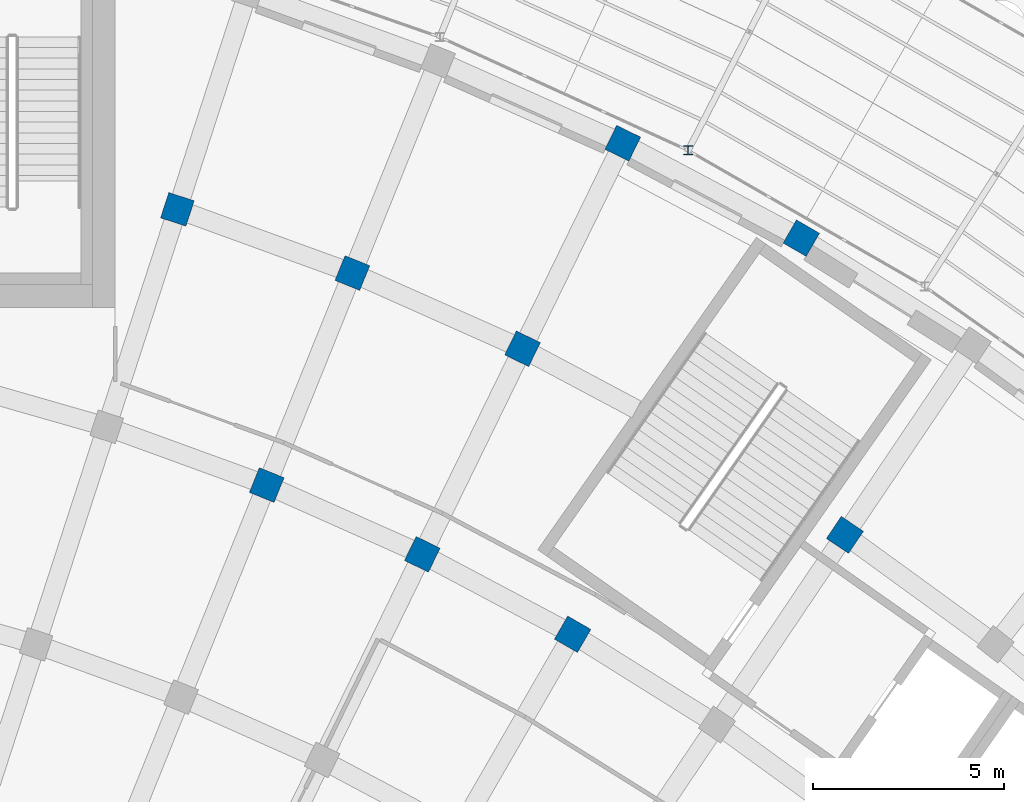
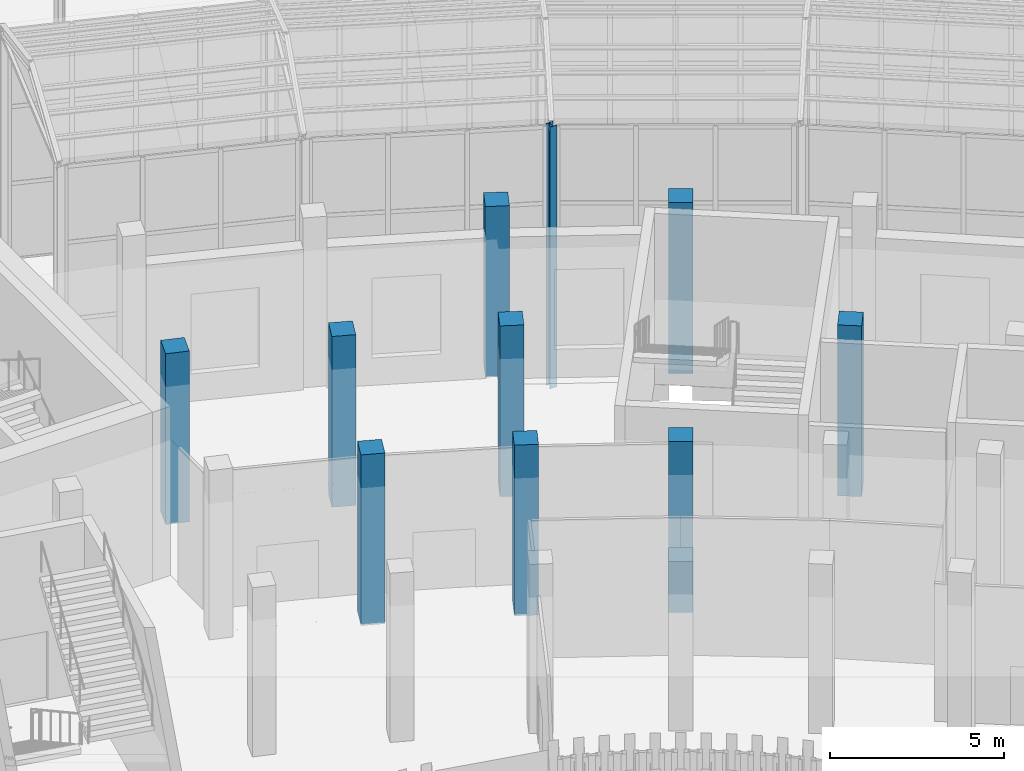
# One storey, part 6 of 155: 10 columns.
"""IFC4 building model written with IfcOpenShell, lengths in metres."""

from ifc_helpers import new_model, si_unit, direction, frame, origin, origin_2d, place, context, subcontext, project, spatial, rectangle, i_section, extrude, material, material_profile, profile_set, type_object, element, save


model = new_model("IFC4")

# Units and contexts
model_context = context("Model", 3, precision=1e-05, world=origin(), true_north=direction((0.0, 1.0)))
body_context = subcontext(model_context, "Body", "Model", "MODEL_VIEW")
ifc_project = project(units=[si_unit("LENGTHUNIT", "METRE"), si_unit("AREAUNIT", "SQUARE_METRE"), si_unit("VOLUMEUNIT", "CUBIC_METRE"), si_unit("PLANEANGLEUNIT", "RADIAN"), si_unit("MASSUNIT", "GRAM", prefix="KILO")], contexts=[model_context])

# Site, building, storey
site_placement = place(None, origin())
site = spatial("IfcSite", under=ifc_project, at=site_placement, CompositionType="ELEMENT")
building_placement = place(site_placement, origin())
building = spatial("IfcBuilding", under=site, at=building_placement, Name="Lunette Opera House", CompositionType="ELEMENT")
storey_placement = place(building_placement, origin())
storey = spatial("IfcBuildingStorey", under=building, at=storey_placement, Name="L00", CompositionType="ELEMENT", Elevation=0.0)

# Columns
ifc_material_1 = material(Name="Concrete C35/45", Category="concrete")
ifc_material_profile_1 = material_profile(ifc_material_1, rectangle(XDim=0.699951171875, YDim=0.699951171875, at=origin_2d()), Name="RC COLUMN 700X700")
ifc_profile_set_1 = profile_set([ifc_material_profile_1], Name="Concrete C35/45")
column_type_1 = type_object("IfcColumnType", Name="RC COLUMN 700X700", PredefinedType="COLUMN", material=ifc_profile_set_1)
for number, where, z_axis, x_axis, name in (
    (1, (119.97509765625, 59.340087890625, 0.0), (0.0, 0.0, 1.0), (0.927183854567, -0.374606593416, 0.0), "col-FC-L00-AR-B-RL-19"),
    (2, (124.055908203125, 57.52294921875, 0.0), (0.0, 0.0, 1.0), (0.898794046299, -0.438371146789, 0.0), "col-FC-L00-AR-B-RL-20"),
    (3, (128.0, 55.426025390625, 0.0), (0.0, 0.0, 1.0), (0.866025403784, -0.5, 0.0), "col-FC-L00-AR-B-RL-21"),
    (4, (117.631103515625, 66.573974609375, 0.0), (0.0, 0.0, 1.0), (0.951056516295, -0.309016994375, 0.0), "col-FC-L00-AR-M2-RL-18"),
    (5, (122.221923828125, 64.903076171875, 0.0), (0.0, 0.0, 1.0), (0.927183854567, -0.374606593416, 0.0), "col-FC-L00-AR-M2-RL-19"),
    (6, (126.68603515625, 62.916015625, 0.0), (0.0, 0.0, 1.0), (0.898794046299, -0.438371146789, 0.0), "col-FC-L00-AR-M2-RL-20"),
    (7, (135.14404296875, 58.032958984375, 0.0), (0.0, 0.0, 1.0), (0.829037572555, -0.559192903471, 0.0), "col-FC-L00-AR-M2-RL-22"),
    (8, (129.31591796875, 68.30810546875, 0.0), (0.0, 0.0, 1.0), (0.898794046299, -0.438371146789, 0.0), "col-FC-L00-AR-C-RL-20"),
    (9, (134.0, 65.818115234375, 0.0), (0.0, 0.0, 1.0), (0.866025403784, -0.5, 0.0), "col-FC-L00-AR-C-RL-21"),
):
    element("IfcColumn", number, at=place(storey_placement, frame(where, z_axis=z_axis, x_axis=x_axis)), inside=storey, type_object=column_type_1, Name=name, PredefinedType="COLUMN", context=body_context, shape_type="SweptSolid", body=[
        extrude(rectangle(XDim=0.699951171875, YDim=0.699951171875, at=origin_2d()), origin(), (0.0, 0.0, 1.0), 6.0),
    ])
ifc_material_2 = material(Name="Steel S355", Category="steel")
ifc_material_profile_2 = material_profile(ifc_material_2, i_section(OverallWidth=0.239990234375, OverallDepth=0.22998046875, WebThickness=0.007568359375, FlangeThickness=0.011962890625, FilletRadius=0.02099609375, at=origin_2d()), Name="HEA 240")
ifc_profile_set_2 = profile_set([ifc_material_profile_2], Name="Steel S355")
column_type_2 = type_object("IfcColumnType", Name="STEEL COLUMN HEA 240", PredefinedType="COLUMN", material=ifc_profile_set_2)
column_placement = place(storey_placement, frame((131.031005859375, 68.12109375, -1.050048828125), z_axis=(0.0, 0.0, 1.0), x_axis=(1.0, 0.0, 0.0)))
element("IfcColumn", 10, at=column_placement, inside=storey, type_object=column_type_2, Name="col-PP-L00-PC-EI03", PredefinedType="COLUMN", context=body_context, shape_type="SweptSolid", body=[
    extrude(i_section(OverallWidth=0.239990234375, OverallDepth=0.22998046875, WebThickness=0.007568359375, FlangeThickness=0.011962890625, FilletRadius=0.02099609375, at=origin_2d()), origin(), (0.0, 0.0, 1.0), 9.199951171875),
])

save(model, "model.ifc")
